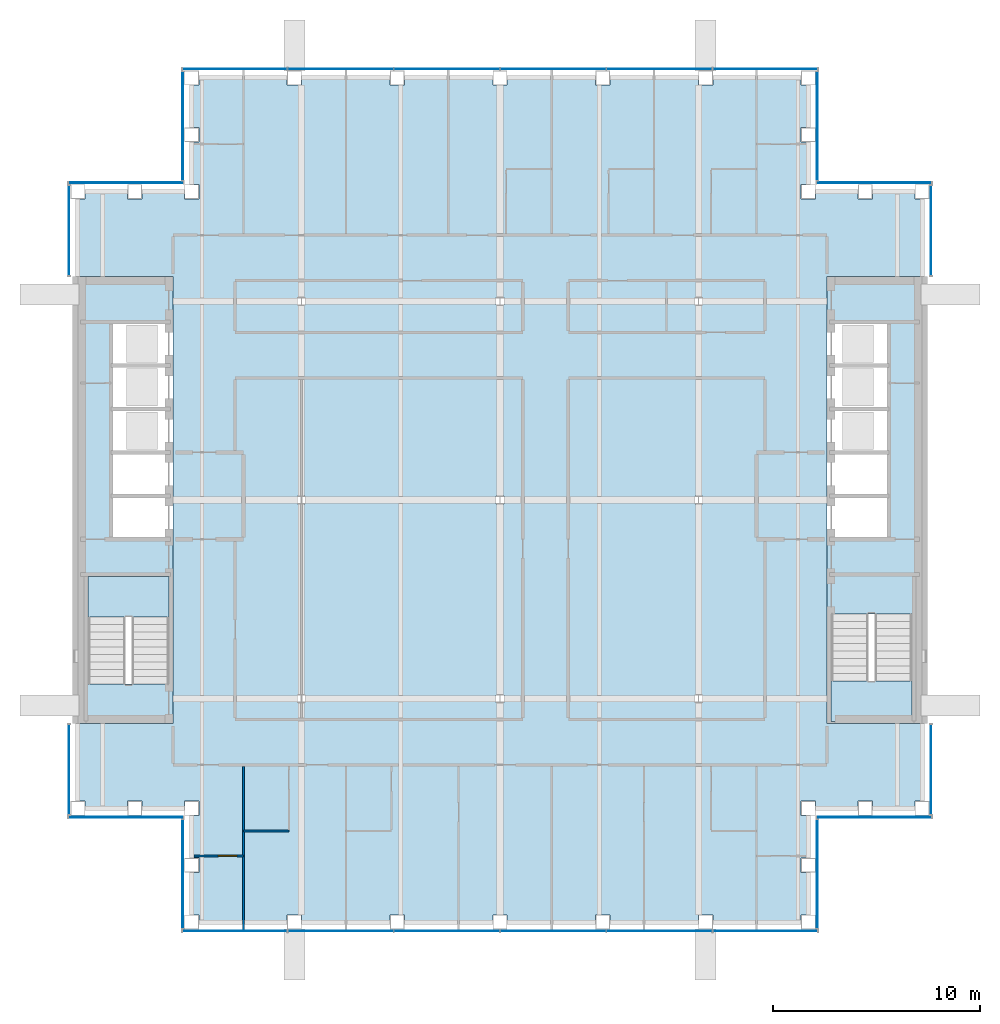
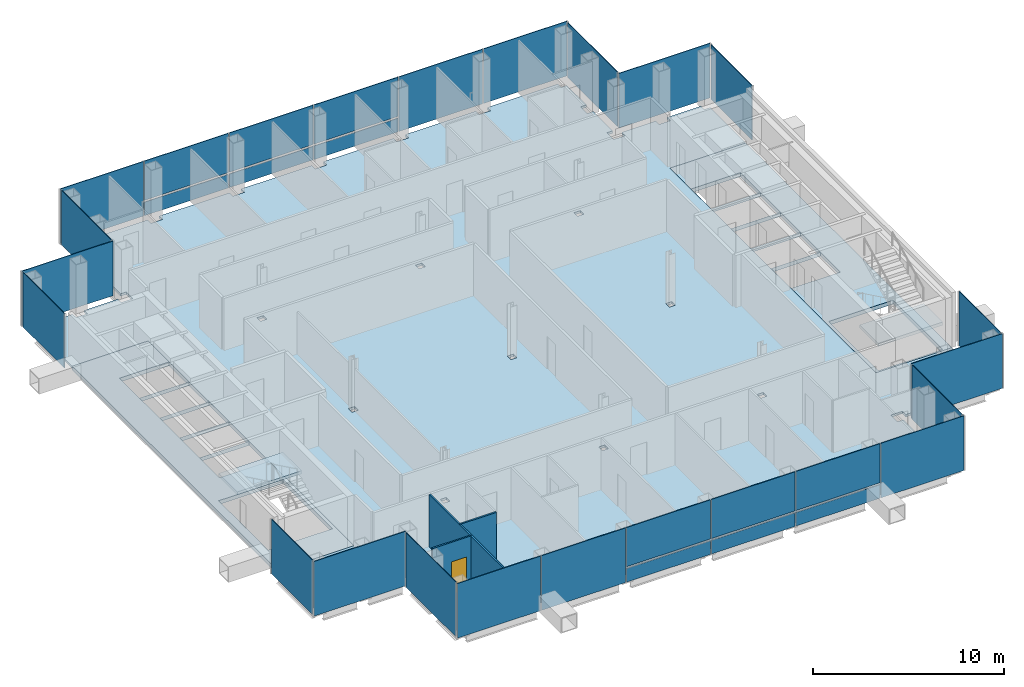
# One storey, part 8 of 14: 30 plates, 5 slabs, 3 walls, 1 door, 1 opening, 16 elements without a shape of their own.
"""IFC4 building model written with IfcOpenShell, lengths in metres."""

from ifc_helpers import new_model, si_unit, direction, frame, frame_2d, origin, origin_2d, place, context, subcontext, project, spatial, polyline, rectangle, outline, extrude, material, layer, layer_set, type_object, element, fill, aggregate, save


model = new_model("IFC4")

# Units and contexts
model_context = context("Model", 3, precision=1e-05, world=origin(), true_north=direction((0.0, 1.0)))
body_context = subcontext(model_context, "Body", "Model", "MODEL_VIEW")
ifc_project = project(units=[si_unit("LENGTHUNIT", "METRE"), si_unit("AREAUNIT", "SQUARE_METRE"), si_unit("VOLUMEUNIT", "CUBIC_METRE"), si_unit("PLANEANGLEUNIT", "RADIAN"), si_unit("MASSUNIT", "GRAM", prefix="KILO")], contexts=[model_context])

# Site, building, storey
site_placement = place(None, origin())
site = spatial("IfcSite", under=ifc_project, at=site_placement, CompositionType="ELEMENT")
building_placement = place(site_placement, origin())
building = spatial("IfcBuilding", under=site, at=building_placement, Name="Cobrizo Arcos Hotel Tower", CompositionType="ELEMENT")
storey_placement = place(building_placement, frame((0.0, 0.0, 208.5)))
storey = spatial("IfcBuildingStorey", under=building, at=storey_placement, Name="L54", CompositionType="ELEMENT", Elevation=208.5)

# Curtain wall, plates
ifc_material_1 = material(Name="Aluminium 6063-T6 anodised bronze", Category="aluminium")
curtain_wall_type = type_object("IfcCurtainWallType", Name="CW-A guest facade", PredefinedType="NOTDEFINED", material=ifc_material_1)
curtain_wall_1_placement = place(storey_placement, origin())
curtain_wall_1 = element("IfcCurtainWall", 1, at=curtain_wall_1_placement, inside=storey, type_object=curtain_wall_type, Name="CW-A L54 S face", PredefinedType="NOTDEFINED")
ifc_material_2 = material(Name="Glass clear laminated low-e", Category="glass")
ifc_layer_1 = layer(ifc_material_2, 0.0400390625)
ifc_layer_set_1 = layer_set([ifc_layer_1], Name="CW-A glass panel")
plate_type_1 = type_object("IfcPlateType", Name="CW-A glass panel", PredefinedType="CURTAIN_PANEL", material=ifc_layer_set_1)
plate_1_placement = place(storey_placement, frame((-2.566650390625, -20.824951171875, 0.990234375), z_axis=(0.0, 0.0, 1.0), x_axis=(1.0, 0.0, 0.0)))
plate_1 = element("IfcPlate", 2, at=plate_1_placement, type_object=plate_type_1, Name="CW-A glass panel 1818", PredefinedType="CURTAIN_PANEL", context=body_context, shape_type="SweptSolid", body=[
    extrude(rectangle(XDim=5.0732421875, YDim=0.0400390625, at=origin_2d()), origin(), (0.0, 0.0, 1.0), 2.510009765625),
])
plate_2_placement = place(storey_placement, frame((2.566650390625, -20.824951171875, 0.990234375), z_axis=(0.0, 0.0, 1.0), x_axis=(1.0, 0.0, 0.0)))
plate_2 = element("IfcPlate", 3, at=plate_2_placement, type_object=plate_type_1, Name="CW-A glass panel 1819", PredefinedType="CURTAIN_PANEL", context=body_context, shape_type="SweptSolid", body=[
    extrude(rectangle(XDim=5.0732421875, YDim=0.0400390625, at=origin_2d()), origin(), (0.0, 0.0, 1.0), 2.510009765625),
])
plate_3_placement = place(storey_placement, frame((7.699951171875, -20.824951171875, 0.990234375), z_axis=(0.0, 0.0, 1.0), x_axis=(1.0, 0.0, 0.0)))
plate_3 = element("IfcPlate", 4, at=plate_3_placement, type_object=plate_type_1, Name="CW-A glass panel 1820", PredefinedType="CURTAIN_PANEL", context=body_context, shape_type="SweptSolid", body=[
    extrude(rectangle(XDim=5.0732421875, YDim=0.0400390625, at=origin_2d()), origin(), (0.0, 0.0, 1.0), 2.510009765625),
])

curtain_wall_2_placement = place(storey_placement, origin())
curtain_wall_2 = element("IfcCurtainWall", 5, at=curtain_wall_2_placement, inside=storey, type_object=curtain_wall_type, Name="CW-A L54 N face", PredefinedType="NOTDEFINED")
plate_4_placement = place(storey_placement, frame((2.566650390625, 20.824951171875, 0.990234375), z_axis=(0.0, 0.0, 1.0), x_axis=(-1.0, 0.0, 0.0)))
plate_4 = element("IfcPlate", 6, at=plate_4_placement, type_object=plate_type_1, Name="CW-A glass panel 1830", PredefinedType="CURTAIN_PANEL", context=body_context, shape_type="SweptSolid", body=[
    extrude(rectangle(XDim=5.0732421875, YDim=0.0400390625, at=origin_2d()), origin(), (0.0, 0.0, 1.0), 2.510009765625),
])
plate_5_placement = place(storey_placement, frame((-2.566650390625, 20.824951171875, 0.990234375), z_axis=(0.0, 0.0, 1.0), x_axis=(-1.0, 0.0, 0.0)))
plate_5 = element("IfcPlate", 7, at=plate_5_placement, type_object=plate_type_1, Name="CW-A glass panel 1831", PredefinedType="CURTAIN_PANEL", context=body_context, shape_type="SweptSolid", body=[
    extrude(rectangle(XDim=5.0732421875, YDim=0.0400390625, at=origin_2d()), origin(), (0.0, 0.0, 1.0), 2.510009765625),
])
plate_6_placement = place(storey_placement, frame((-7.699951171875, 20.824951171875, 0.990234375), z_axis=(0.0, 0.0, 1.0), x_axis=(-1.0, 0.0, 0.0)))
plate_6 = element("IfcPlate", 8, at=plate_6_placement, type_object=plate_type_1, Name="CW-A glass panel 1832", PredefinedType="CURTAIN_PANEL", context=body_context, shape_type="SweptSolid", body=[
    extrude(rectangle(XDim=5.0732421875, YDim=0.0400390625, at=origin_2d()), origin(), (0.0, 0.0, 1.0), 2.510009765625),
])

# Plate
ifc_material_3 = material(Name="Aluminium composite panel pale metal", Category="aluminium")
ifc_layer_2 = layer(ifc_material_3, 0.0400390625)
ifc_layer_set_2 = layer_set([ifc_layer_2], Name="CW-A spandrel panel")
plate_type_2 = type_object("IfcPlateType", Name="CW-A spandrel panel", PredefinedType="CURTAIN_PANEL", material=ifc_layer_set_2)
plate_7_placement = place(storey_placement, frame((-12.818359375, -20.824951171875, 0.0), z_axis=(0.0, 0.0, 1.0), x_axis=(1.0, 0.0, 0.0)))
plate_7 = element("IfcPlate", 9, at=plate_7_placement, type_object=plate_type_2, Name="CW-A spandrel panel 1816", PredefinedType="CURTAIN_PANEL", context=body_context, shape_type="SweptSolid", body=[
    extrude(rectangle(XDim=5.043212890625, YDim=0.0400390625, at=origin_2d()), origin(), (0.0, 0.0, 1.0), 3.5),
])

plate_8_placement = place(storey_placement, frame((-7.699951171875, -20.824951171875, 0.0), z_axis=(0.0, 0.0, 1.0), x_axis=(1.0, 0.0, 0.0)))
plate_8 = element("IfcPlate", 10, at=plate_8_placement, type_object=plate_type_2, Name="CW-A spandrel panel 1817", PredefinedType="CURTAIN_PANEL", context=body_context, shape_type="SweptSolid", body=[
    extrude(rectangle(XDim=5.0732421875, YDim=0.0400390625, at=origin_2d()), origin(), (0.0, 0.0, 1.0), 3.5),
])

plate_9_placement = place(storey_placement, frame((-2.566650390625, -20.824951171875, 0.0), z_axis=(0.0, 0.0, 1.0), x_axis=(1.0, 0.0, 0.0)))
plate_9 = element("IfcPlate", 11, at=plate_9_placement, type_object=plate_type_2, Name="CW-A spandrel panel 1818", PredefinedType="CURTAIN_PANEL", context=body_context, shape_type="SweptSolid", body=[
    extrude(rectangle(XDim=5.0732421875, YDim=0.0400390625, at=origin_2d()), origin(), (0.0, 0.0, 1.0), 0.8701171875),
])

plate_10_placement = place(storey_placement, frame((2.566650390625, -20.824951171875, 0.0), z_axis=(0.0, 0.0, 1.0), x_axis=(1.0, 0.0, 0.0)))
plate_10 = element("IfcPlate", 12, at=plate_10_placement, type_object=plate_type_2, Name="CW-A spandrel panel 1819", PredefinedType="CURTAIN_PANEL", context=body_context, shape_type="SweptSolid", body=[
    extrude(rectangle(XDim=5.0732421875, YDim=0.0400390625, at=origin_2d()), origin(), (0.0, 0.0, 1.0), 0.8701171875),
])

plate_11_placement = place(storey_placement, frame((7.699951171875, -20.824951171875, 0.0), z_axis=(0.0, 0.0, 1.0), x_axis=(1.0, 0.0, 0.0)))
plate_11 = element("IfcPlate", 13, at=plate_11_placement, type_object=plate_type_2, Name="CW-A spandrel panel 1820", PredefinedType="CURTAIN_PANEL", context=body_context, shape_type="SweptSolid", body=[
    extrude(rectangle(XDim=5.0732421875, YDim=0.0400390625, at=origin_2d()), origin(), (0.0, 0.0, 1.0), 0.8701171875),
])

plate_12_placement = place(storey_placement, frame((12.818359375, -20.824951171875, 0.0), z_axis=(0.0, 0.0, 1.0), x_axis=(1.0, 0.0, 0.0)))
plate_12 = element("IfcPlate", 14, at=plate_12_placement, type_object=plate_type_2, Name="CW-A spandrel panel 1821", PredefinedType="CURTAIN_PANEL", context=body_context, shape_type="SweptSolid", body=[
    extrude(rectangle(XDim=5.043212890625, YDim=0.0400390625, at=origin_2d()), origin(), (0.0, 0.0, 1.0), 3.5),
])

aggregate(curtain_wall_1, [plate_7, plate_8, plate_9, plate_1, plate_10, plate_2, plate_11, plate_3, plate_12])

# Curtain wall, plate
curtain_wall_3_placement = place(storey_placement, origin())
curtain_wall_3 = element("IfcCurtainWall", 15, at=curtain_wall_3_placement, inside=storey, type_object=curtain_wall_type, Name="CW-A L54 E face", PredefinedType="NOTDEFINED")
plate_13_placement = place(storey_placement, frame((15.324951171875, -18.074951171875, 0.0), z_axis=(0.0, 0.0, 1.0), x_axis=(0.0, 1.0, 0.0)))
plate_13 = element("IfcPlate", 16, at=plate_13_placement, type_object=plate_type_2, Name="CW-A spandrel panel 1822", PredefinedType="CURTAIN_PANEL", context=body_context, shape_type="SweptSolid", body=[
    extrude(rectangle(XDim=5.22998046875, YDim=0.0400390625, at=origin_2d()), origin(), (0.0, 0.0, 1.0), 3.5),
])
aggregate(curtain_wall_3, [plate_13])

curtain_wall_4_placement = place(storey_placement, origin())
curtain_wall_4 = element("IfcCurtainWall", 17, at=curtain_wall_4_placement, inside=storey, type_object=curtain_wall_type, Name="CW-A L54 S face", PredefinedType="NOTDEFINED")
plate_14_placement = place(storey_placement, frame((18.074951171875, -15.324951171875, 0.0), z_axis=(0.0, 0.0, 1.0), x_axis=(1.0, 0.0, 0.0)))
plate_14 = element("IfcPlate", 18, at=plate_14_placement, type_object=plate_type_2, Name="CW-A spandrel panel 1823", PredefinedType="CURTAIN_PANEL", context=body_context, shape_type="SweptSolid", body=[
    extrude(rectangle(XDim=5.530029296875, YDim=0.0400390625, at=origin_2d()), origin(), (0.0, 0.0, 1.0), 3.5),
])
aggregate(curtain_wall_4, [plate_14])

curtain_wall_5_placement = place(storey_placement, origin())
curtain_wall_5 = element("IfcCurtainWall", 19, at=curtain_wall_5_placement, inside=storey, type_object=curtain_wall_type, Name="CW-A L54 E face", PredefinedType="NOTDEFINED")
plate_15_placement = place(storey_placement, frame((20.824951171875, -13.02490234375, 0.0), z_axis=(0.0, 0.0, 1.0), x_axis=(0.0, 1.0, 0.0)))
plate_15 = element("IfcPlate", 20, at=plate_15_placement, type_object=plate_type_2, Name="CW-A spandrel panel 1824", PredefinedType="CURTAIN_PANEL", context=body_context, shape_type="SweptSolid", body=[
    extrude(rectangle(XDim=4.330078125, YDim=0.0400390625, at=origin_2d()), origin(), (0.0, 0.0, 1.0), 3.5),
])
aggregate(curtain_wall_5, [plate_15])

curtain_wall_6_placement = place(storey_placement, origin())
curtain_wall_6 = element("IfcCurtainWall", 21, at=curtain_wall_6_placement, inside=storey, type_object=curtain_wall_type, Name="CW-A L54 E face", PredefinedType="NOTDEFINED")
plate_16_placement = place(storey_placement, frame((20.824951171875, 13.02490234375, 0.0), z_axis=(0.0, 0.0, 1.0), x_axis=(0.0, 1.0, 0.0)))
plate_16 = element("IfcPlate", 22, at=plate_16_placement, type_object=plate_type_2, Name="CW-A spandrel panel 1825", PredefinedType="CURTAIN_PANEL", context=body_context, shape_type="SweptSolid", body=[
    extrude(rectangle(XDim=4.330078125, YDim=0.0400390625, at=origin_2d()), origin(), (0.0, 0.0, 1.0), 3.5),
])
aggregate(curtain_wall_6, [plate_16])

curtain_wall_7_placement = place(storey_placement, origin())
curtain_wall_7 = element("IfcCurtainWall", 23, at=curtain_wall_7_placement, inside=storey, type_object=curtain_wall_type, Name="CW-A L54 N face", PredefinedType="NOTDEFINED")
plate_17_placement = place(storey_placement, frame((18.074951171875, 15.324951171875, 0.0), z_axis=(0.0, 0.0, 1.0), x_axis=(-1.0, 0.0, 0.0)))
plate_17 = element("IfcPlate", 24, at=plate_17_placement, type_object=plate_type_2, Name="CW-A spandrel panel 1826", PredefinedType="CURTAIN_PANEL", context=body_context, shape_type="SweptSolid", body=[
    extrude(rectangle(XDim=5.530029296875, YDim=0.0400390625, at=origin_2d()), origin(), (0.0, 0.0, 1.0), 3.5),
])
aggregate(curtain_wall_7, [plate_17])

curtain_wall_8_placement = place(storey_placement, origin())
curtain_wall_8 = element("IfcCurtainWall", 25, at=curtain_wall_8_placement, inside=storey, type_object=curtain_wall_type, Name="CW-A L54 E face", PredefinedType="NOTDEFINED")
plate_18_placement = place(storey_placement, frame((15.324951171875, 18.074951171875, 0.0), z_axis=(0.0, 0.0, 1.0), x_axis=(0.0, 1.0, 0.0)))
plate_18 = element("IfcPlate", 26, at=plate_18_placement, type_object=plate_type_2, Name="CW-A spandrel panel 1827", PredefinedType="CURTAIN_PANEL", context=body_context, shape_type="SweptSolid", body=[
    extrude(rectangle(XDim=5.22998046875, YDim=0.0400390625, at=origin_2d()), origin(), (0.0, 0.0, 1.0), 3.5),
])
aggregate(curtain_wall_8, [plate_18])

# Plate
plate_19_placement = place(storey_placement, frame((12.818359375, 20.824951171875, 0.0), z_axis=(0.0, 0.0, 1.0), x_axis=(-1.0, 0.0, 0.0)))
plate_19 = element("IfcPlate", 27, at=plate_19_placement, type_object=plate_type_2, Name="CW-A spandrel panel 1828", PredefinedType="CURTAIN_PANEL", context=body_context, shape_type="SweptSolid", body=[
    extrude(rectangle(XDim=5.043212890625, YDim=0.0400390625, at=origin_2d()), origin(), (0.0, 0.0, 1.0), 3.5),
])

plate_20_placement = place(storey_placement, frame((7.699951171875, 20.824951171875, 0.0), z_axis=(0.0, 0.0, 1.0), x_axis=(-1.0, 0.0, 0.0)))
plate_20 = element("IfcPlate", 28, at=plate_20_placement, type_object=plate_type_2, Name="CW-A spandrel panel 1829", PredefinedType="CURTAIN_PANEL", context=body_context, shape_type="SweptSolid", body=[
    extrude(rectangle(XDim=5.0732421875, YDim=0.0400390625, at=origin_2d()), origin(), (0.0, 0.0, 1.0), 3.5),
])

plate_21_placement = place(storey_placement, frame((2.566650390625, 20.824951171875, 0.0), z_axis=(0.0, 0.0, 1.0), x_axis=(-1.0, 0.0, 0.0)))
plate_21 = element("IfcPlate", 29, at=plate_21_placement, type_object=plate_type_2, Name="CW-A spandrel panel 1830", PredefinedType="CURTAIN_PANEL", context=body_context, shape_type="SweptSolid", body=[
    extrude(rectangle(XDim=5.0732421875, YDim=0.0400390625, at=origin_2d()), origin(), (0.0, 0.0, 1.0), 0.8701171875),
])

plate_22_placement = place(storey_placement, frame((-2.566650390625, 20.824951171875, 0.0), z_axis=(0.0, 0.0, 1.0), x_axis=(-1.0, 0.0, 0.0)))
plate_22 = element("IfcPlate", 30, at=plate_22_placement, type_object=plate_type_2, Name="CW-A spandrel panel 1831", PredefinedType="CURTAIN_PANEL", context=body_context, shape_type="SweptSolid", body=[
    extrude(rectangle(XDim=5.0732421875, YDim=0.0400390625, at=origin_2d()), origin(), (0.0, 0.0, 1.0), 0.8701171875),
])

plate_23_placement = place(storey_placement, frame((-7.699951171875, 20.824951171875, 0.0), z_axis=(0.0, 0.0, 1.0), x_axis=(-1.0, 0.0, 0.0)))
plate_23 = element("IfcPlate", 31, at=plate_23_placement, type_object=plate_type_2, Name="CW-A spandrel panel 1832", PredefinedType="CURTAIN_PANEL", context=body_context, shape_type="SweptSolid", body=[
    extrude(rectangle(XDim=5.0732421875, YDim=0.0400390625, at=origin_2d()), origin(), (0.0, 0.0, 1.0), 0.8701171875),
])

plate_24_placement = place(storey_placement, frame((-12.818359375, 20.824951171875, 0.0), z_axis=(0.0, 0.0, 1.0), x_axis=(-1.0, 0.0, 0.0)))
plate_24 = element("IfcPlate", 32, at=plate_24_placement, type_object=plate_type_2, Name="CW-A spandrel panel 1833", PredefinedType="CURTAIN_PANEL", context=body_context, shape_type="SweptSolid", body=[
    extrude(rectangle(XDim=5.043212890625, YDim=0.0400390625, at=origin_2d()), origin(), (0.0, 0.0, 1.0), 3.5),
])

aggregate(curtain_wall_2, [plate_19, plate_20, plate_21, plate_4, plate_22, plate_5, plate_23, plate_6, plate_24])

# Curtain wall, plate
curtain_wall_9_placement = place(storey_placement, origin())
curtain_wall_9 = element("IfcCurtainWall", 33, at=curtain_wall_9_placement, inside=storey, type_object=curtain_wall_type, Name="CW-A L54 W face", PredefinedType="NOTDEFINED")
plate_25_placement = place(storey_placement, frame((-15.324951171875, 18.074951171875, 0.0), z_axis=(0.0, 0.0, 1.0), x_axis=(0.0, -1.0, 0.0)))
plate_25 = element("IfcPlate", 34, at=plate_25_placement, type_object=plate_type_2, Name="CW-A spandrel panel 1834", PredefinedType="CURTAIN_PANEL", context=body_context, shape_type="SweptSolid", body=[
    extrude(rectangle(XDim=5.22998046875, YDim=0.0400390625, at=origin_2d()), origin(), (0.0, 0.0, 1.0), 3.5),
])
aggregate(curtain_wall_9, [plate_25])

curtain_wall_10_placement = place(storey_placement, origin())
curtain_wall_10 = element("IfcCurtainWall", 35, at=curtain_wall_10_placement, inside=storey, type_object=curtain_wall_type, Name="CW-A L54 N face", PredefinedType="NOTDEFINED")
plate_26_placement = place(storey_placement, frame((-18.074951171875, 15.324951171875, 0.0), z_axis=(0.0, 0.0, 1.0), x_axis=(-1.0, 0.0, 0.0)))
plate_26 = element("IfcPlate", 36, at=plate_26_placement, type_object=plate_type_2, Name="CW-A spandrel panel 1835", PredefinedType="CURTAIN_PANEL", context=body_context, shape_type="SweptSolid", body=[
    extrude(rectangle(XDim=5.530029296875, YDim=0.0400390625, at=origin_2d()), origin(), (0.0, 0.0, 1.0), 3.5),
])
aggregate(curtain_wall_10, [plate_26])

curtain_wall_11_placement = place(storey_placement, origin())
curtain_wall_11 = element("IfcCurtainWall", 37, at=curtain_wall_11_placement, inside=storey, type_object=curtain_wall_type, Name="CW-A L54 W face", PredefinedType="NOTDEFINED")
plate_27_placement = place(storey_placement, frame((-20.824951171875, 13.02490234375, 0.0), z_axis=(0.0, 0.0, 1.0), x_axis=(0.0, -1.0, 0.0)))
plate_27 = element("IfcPlate", 38, at=plate_27_placement, type_object=plate_type_2, Name="CW-A spandrel panel 1836", PredefinedType="CURTAIN_PANEL", context=body_context, shape_type="SweptSolid", body=[
    extrude(rectangle(XDim=4.330078125, YDim=0.0400390625, at=origin_2d()), origin(), (0.0, 0.0, 1.0), 3.5),
])
aggregate(curtain_wall_11, [plate_27])

curtain_wall_12_placement = place(storey_placement, origin())
curtain_wall_12 = element("IfcCurtainWall", 39, at=curtain_wall_12_placement, inside=storey, type_object=curtain_wall_type, Name="CW-A L54 W face", PredefinedType="NOTDEFINED")
plate_28_placement = place(storey_placement, frame((-20.824951171875, -13.02490234375, 0.0), z_axis=(0.0, 0.0, 1.0), x_axis=(0.0, -1.0, 0.0)))
plate_28 = element("IfcPlate", 40, at=plate_28_placement, type_object=plate_type_2, Name="CW-A spandrel panel 1837", PredefinedType="CURTAIN_PANEL", context=body_context, shape_type="SweptSolid", body=[
    extrude(rectangle(XDim=4.330078125, YDim=0.0400390625, at=origin_2d()), origin(), (0.0, 0.0, 1.0), 3.5),
])
aggregate(curtain_wall_12, [plate_28])

curtain_wall_13_placement = place(storey_placement, origin())
curtain_wall_13 = element("IfcCurtainWall", 41, at=curtain_wall_13_placement, inside=storey, type_object=curtain_wall_type, Name="CW-A L54 S face", PredefinedType="NOTDEFINED")
plate_29_placement = place(storey_placement, frame((-18.074951171875, -15.324951171875, 0.0), z_axis=(0.0, 0.0, 1.0), x_axis=(1.0, 0.0, 0.0)))
plate_29 = element("IfcPlate", 42, at=plate_29_placement, type_object=plate_type_2, Name="CW-A spandrel panel 1838", PredefinedType="CURTAIN_PANEL", context=body_context, shape_type="SweptSolid", body=[
    extrude(rectangle(XDim=5.530029296875, YDim=0.0400390625, at=origin_2d()), origin(), (0.0, 0.0, 1.0), 3.5),
])
aggregate(curtain_wall_13, [plate_29])

curtain_wall_14_placement = place(storey_placement, origin())
curtain_wall_14 = element("IfcCurtainWall", 43, at=curtain_wall_14_placement, inside=storey, type_object=curtain_wall_type, Name="CW-A L54 W face", PredefinedType="NOTDEFINED")
plate_30_placement = place(storey_placement, frame((-15.324951171875, -18.074951171875, 0.0), z_axis=(0.0, 0.0, 1.0), x_axis=(0.0, -1.0, 0.0)))
plate_30 = element("IfcPlate", 44, at=plate_30_placement, type_object=plate_type_2, Name="CW-A spandrel panel 1839", PredefinedType="CURTAIN_PANEL", context=body_context, shape_type="SweptSolid", body=[
    extrude(rectangle(XDim=5.22998046875, YDim=0.0400390625, at=origin_2d()), origin(), (0.0, 0.0, 1.0), 3.5),
])
aggregate(curtain_wall_14, [plate_30])

# Slabs
ifc_material_4 = material(Name="Concrete f'c 35 MPa", Category="concrete")
ifc_layer_3 = layer(ifc_material_4, 0.14990234375)
ifc_layer_set_3 = layer_set([ifc_layer_3], Name="Composite floor slab 150 f'c 35")
slab_type_1 = type_object("IfcSlabType", Name="Composite floor slab 150 f'c 35", PredefinedType="FLOOR", material=ifc_layer_set_3)
slab_1_placement = place(storey_placement, frame((0.0, 0.0, -0.14990234375)))
element("IfcSlab", 45, at=slab_1_placement, inside=storey, type_object=slab_type_1, Name="Floor slab S5, L54, no. 01", PredefinedType="FLOOR", context=body_context, shape_type="SweptSolid", body=[
    extrude(outline(polyline([(-14.550048828125, -20.39990234375), (-14.550048828125, -20.050048828125), (-14.89990234375, -20.050048828125), (-14.89990234375, -18.0), (-14.550048828125, -18.0), (-14.550048828125, -17.300048828125), (-14.89990234375, -17.300048828125), (-14.89990234375, -15.25), (-14.550048828125, -15.25), (-14.550048828125, -14.550048828125), (-15.25, -14.550048828125), (-15.25, -14.89990234375), (-17.300048828125, -14.89990234375), (-17.300048828125, -14.550048828125), (-18.0, -14.550048828125), (-18.0, -14.89990234375), (-20.050048828125, -14.89990234375), (-20.050048828125, -14.550048828125), (-20.39990234375, -14.550048828125), (-20.39990234375, -10.800048828125), (-15.800048828125, -10.800048828125), (-15.800048828125, 10.800048828125), (-20.39990234375, 10.800048828125), (-20.39990234375, 14.550048828125), (-20.050048828125, 14.550048828125), (-20.050048828125, 14.89990234375), (-18.0, 14.89990234375), (-18.0, 14.550048828125), (-17.300048828125, 14.550048828125), (-17.300048828125, 14.89990234375), (-15.25, 14.89990234375), (-15.25, 14.550048828125), (-14.550048828125, 14.550048828125), (-14.550048828125, 15.25), (-14.89990234375, 15.25), (-14.89990234375, 17.300048828125), (-14.550048828125, 17.300048828125), (-14.550048828125, 18.0), (-14.89990234375, 18.0), (-14.89990234375, 20.050048828125), (-14.550048828125, 20.050048828125), (-14.550048828125, 20.39990234375), (-10.282958984375, 20.39990234375), (-10.282958984375, 20.050048828125), (-9.5830078125, 20.050048828125), (-9.5830078125, 20.39990234375), (-5.31689453125, 20.39990234375), (-5.31689453125, 20.050048828125), (-4.616943359375, 20.050048828125), (-4.616943359375, 20.39990234375), (-0.35009765625, 20.39990234375), (-0.35009765625, 20.050048828125), (0.35009765625, 20.050048828125), (0.35009765625, 20.39990234375), (4.616943359375, 20.39990234375), (4.616943359375, 20.050048828125), (5.31689453125, 20.050048828125), (5.31689453125, 20.39990234375), (9.5830078125, 20.39990234375), (9.5830078125, 20.050048828125), (10.282958984375, 20.050048828125), (10.282958984375, 20.39990234375), (14.550048828125, 20.39990234375), (14.550048828125, 20.050048828125), (14.89990234375, 20.050048828125), (14.89990234375, 18.0), (14.550048828125, 18.0), (14.550048828125, 17.300048828125), (14.89990234375, 17.300048828125), (14.89990234375, 15.25), (14.550048828125, 15.25), (14.550048828125, 14.550048828125), (15.25, 14.550048828125), (15.25, 14.89990234375), (17.300048828125, 14.89990234375), (17.300048828125, 14.550048828125), (18.0, 14.550048828125), (18.0, 14.89990234375), (20.050048828125, 14.89990234375), (20.050048828125, 14.550048828125), (20.39990234375, 14.550048828125), (20.39990234375, 10.800048828125), (15.800048828125, 10.800048828125), (15.800048828125, -10.800048828125), (20.39990234375, -10.800048828125), (20.39990234375, -14.550048828125), (20.050048828125, -14.550048828125), (20.050048828125, -14.89990234375), (18.0, -14.89990234375), (18.0, -14.550048828125), (17.300048828125, -14.550048828125), (17.300048828125, -14.89990234375), (15.25, -14.89990234375), (15.25, -14.550048828125), (14.550048828125, -14.550048828125), (14.550048828125, -15.25), (14.89990234375, -15.25), (14.89990234375, -17.300048828125), (14.550048828125, -17.300048828125), (14.550048828125, -18.0), (14.89990234375, -18.0), (14.89990234375, -20.050048828125), (14.550048828125, -20.050048828125), (14.550048828125, -20.39990234375), (10.282958984375, -20.39990234375), (10.282958984375, -20.050048828125), (9.5830078125, -20.050048828125), (9.5830078125, -20.39990234375), (5.31689453125, -20.39990234375), (5.31689453125, -20.050048828125), (4.616943359375, -20.050048828125), (4.616943359375, -20.39990234375), (0.35009765625, -20.39990234375), (0.35009765625, -20.050048828125), (-0.35009765625, -20.050048828125), (-0.35009765625, -20.39990234375), (-4.616943359375, -20.39990234375), (-4.616943359375, -20.050048828125), (-5.31689453125, -20.050048828125), (-5.31689453125, -20.39990234375), (-9.5830078125, -20.39990234375), (-9.5830078125, -20.050048828125), (-10.282958984375, -20.050048828125), (-10.282958984375, -20.39990234375), (-14.550048828125, -20.39990234375)]), holes=[polyline([(-9.413330078125, -9.78662109375), (-9.413330078125, -9.413330078125), (-9.78662109375, -9.413330078125), (-9.78662109375, -9.78662109375), (-9.413330078125, -9.78662109375)]), polyline([(0.186767578125, -9.78662109375), (0.186767578125, -9.413330078125), (-0.186767578125, -9.413330078125), (-0.186767578125, -9.78662109375), (0.186767578125, -9.78662109375)]), polyline([(9.413330078125, -9.78662109375), (9.78662109375, -9.78662109375), (9.78662109375, -9.413330078125), (9.413330078125, -9.413330078125), (9.413330078125, -9.78662109375)]), polyline([(-9.78662109375, -0.186767578125), (-9.413330078125, -0.186767578125), (-9.413330078125, 0.186767578125), (-9.78662109375, 0.186767578125), (-9.78662109375, -0.186767578125)]), polyline([(0.186767578125, -0.186767578125), (0.186767578125, 0.186767578125), (-0.186767578125, 0.186767578125), (-0.186767578125, -0.186767578125), (0.186767578125, -0.186767578125)]), polyline([(9.78662109375, -0.186767578125), (9.78662109375, 0.186767578125), (9.413330078125, 0.186767578125), (9.413330078125, -0.186767578125), (9.78662109375, -0.186767578125)]), polyline([(-9.413330078125, 9.413330078125), (-9.413330078125, 9.78662109375), (-9.78662109375, 9.78662109375), (-9.78662109375, 9.413330078125), (-9.413330078125, 9.413330078125)]), polyline([(-0.186767578125, 9.413330078125), (0.186767578125, 9.413330078125), (0.186767578125, 9.78662109375), (-0.186767578125, 9.78662109375), (-0.186767578125, 9.413330078125)]), polyline([(9.413330078125, 9.413330078125), (9.78662109375, 9.413330078125), (9.78662109375, 9.78662109375), (9.413330078125, 9.78662109375), (9.413330078125, 9.413330078125)])]), origin(), (0.0, 0.0, 1.0), 0.14990234375),
])
ifc_material_5 = material(Name="Concrete f'c 40 MPa", Category="concrete")
ifc_layer_4 = layer(ifc_material_5, 0.25)
ifc_layer_set_4 = layer_set([ifc_layer_4], Name="RC core floor slab 250 f'c 40")
slab_type_2 = type_object("IfcSlabType", Name="RC core floor slab 250 f'c 40", PredefinedType="FLOOR", material=ifc_layer_set_4)
slab_2_placement = place(storey_placement, frame((0.0, 0.0, -0.25)))
element("IfcSlab", 46, at=slab_2_placement, inside=storey, type_object=slab_type_2, Name="Core floor slab CS7, east core, L54", PredefinedType="FLOOR", context=body_context, shape_type="SweptSolid", body=[
    extrude(outline(polyline([(15.800048828125, 10.800048828125), (20.39990234375, 10.800048828125), (20.39990234375, -10.800048828125), (15.800048828125, -10.800048828125), (15.800048828125, 10.800048828125)]), holes=[polyline([(19.89794921875, -10.697998046875), (19.89794921875, -5.501953125), (16.001953125, -5.501953125), (16.001953125, -10.697998046875), (19.89794921875, -10.697998046875)]), polyline([(15.802001953125, 0.197998046875), (15.802001953125, -1.89794921875), (18.798095703125, -1.89794921875), (18.798095703125, 0.197998046875), (15.802001953125, 0.197998046875)]), polyline([(15.802001953125, 2.298095703125), (15.802001953125, 0.201904296875), (18.798095703125, 0.201904296875), (18.798095703125, 2.298095703125), (15.802001953125, 2.298095703125)]), polyline([(15.802001953125, 4.39794921875), (15.802001953125, 2.302001953125), (18.798095703125, 2.302001953125), (18.798095703125, 4.39794921875), (15.802001953125, 4.39794921875)]), polyline([(18.798095703125, 6.498046875), (15.802001953125, 6.498046875), (15.802001953125, 4.402099609375), (18.798095703125, 4.402099609375), (18.798095703125, 6.498046875)]), polyline([(18.798095703125, 8.597900390625), (15.802001953125, 8.597900390625), (15.802001953125, 6.501953125), (18.798095703125, 6.501953125), (18.798095703125, 8.597900390625)])]), origin(), (0.0, 0.0, 1.0), 0.25),
])
slab_3_placement = place(storey_placement, frame((0.0, 0.0, -0.25)))
element("IfcSlab", 47, at=slab_3_placement, inside=storey, type_object=slab_type_2, Name="Core floor slab CS7, west core, L54", PredefinedType="FLOOR", context=body_context, shape_type="SweptSolid", body=[
    extrude(outline(polyline([(-20.39990234375, 10.800048828125), (-15.800048828125, 10.800048828125), (-15.800048828125, -10.800048828125), (-20.39990234375, -10.800048828125), (-20.39990234375, 10.800048828125)]), holes=[polyline([(-19.89794921875, -3.701904296875), (-19.89794921875, -8.89794921875), (-16.001953125, -8.89794921875), (-16.001953125, -3.701904296875), (-19.89794921875, -3.701904296875)]), polyline([(-18.798095703125, 0.197998046875), (-18.798095703125, -1.89794921875), (-15.802001953125, -1.89794921875), (-15.802001953125, 0.197998046875), (-18.798095703125, 0.197998046875)]), polyline([(-18.798095703125, 2.298095703125), (-18.798095703125, 0.201904296875), (-15.802001953125, 0.201904296875), (-15.802001953125, 2.298095703125), (-18.798095703125, 2.298095703125)]), polyline([(-18.798095703125, 4.39794921875), (-18.798095703125, 2.302001953125), (-15.802001953125, 2.302001953125), (-15.802001953125, 4.39794921875), (-18.798095703125, 4.39794921875)]), polyline([(-15.802001953125, 6.498046875), (-18.798095703125, 6.498046875), (-18.798095703125, 4.402099609375), (-15.802001953125, 4.402099609375), (-15.802001953125, 6.498046875)]), polyline([(-15.802001953125, 8.597900390625), (-18.798095703125, 8.597900390625), (-18.798095703125, 6.501953125), (-15.802001953125, 6.501953125), (-15.802001953125, 8.597900390625)])]), origin(), (0.0, 0.0, 1.0), 0.25),
])

# Stair, slab
stair_type = type_object("IfcStairType", Name="Exit stair", PredefinedType="HALF_TURN_STAIR", material=ifc_material_5)
stair_1_placement = place(storey_placement, origin())
stair_1 = element("IfcStair", 48, at=stair_1_placement, inside=storey, type_object=stair_type, Name="L54 Exit stair ST-W", PredefinedType="HALF_TURN_STAIR")
ifc_layer_5 = layer(ifc_material_5, 0.199951171875)
ifc_layer_set_5 = layer_set([ifc_layer_5], Name="Stair landing")
slab_type_3 = type_object("IfcSlabType", Name="Stair landing", PredefinedType="LANDING", material=ifc_layer_set_5)
slab_4_placement = place(storey_placement, frame((0.0, 0.0, 1.550048828125)))
slab_4 = element("IfcSlab", 49, at=slab_4_placement, type_object=slab_type_3, Name="ST-W landing 1", PredefinedType="LANDING", context=body_context, shape_type="SweptSolid", body=[
    extrude(outline(polyline([(-16.0, -5.659912109375), (-16.0, -3.699951171875), (-19.89990234375, -3.699951171875), (-19.89990234375, -5.659912109375), (-16.0, -5.659912109375)])), origin(), (0.0, 0.0, 1.0), 0.199951171875),
])
aggregate(stair_1, [slab_4])

stair_2_placement = place(storey_placement, origin())
stair_2 = element("IfcStair", 50, at=stair_2_placement, inside=storey, type_object=stair_type, Name="L54 Exit stair ST-E", PredefinedType="HALF_TURN_STAIR")
slab_5_placement = place(storey_placement, frame((0.0, 0.0, 1.550048828125)))
slab_5 = element("IfcSlab", 51, at=slab_5_placement, type_object=slab_type_3, Name="ST-E landing 1", PredefinedType="LANDING", context=body_context, shape_type="SweptSolid", body=[
    extrude(outline(polyline([(16.0, -8.739990234375), (16.0, -10.699951171875), (19.89990234375, -10.699951171875), (19.89990234375, -8.739990234375), (16.0, -8.739990234375)])), origin(), (0.0, 0.0, 1.0), 0.199951171875),
])
aggregate(stair_2, [slab_5])

# Wall, opening, door
ifc_material_6 = material(Name="Gypsum board partition")
ifc_layer_6 = layer(ifc_material_6, 0.10009765625)
ifc_layer_set_6 = layer_set([ifc_layer_6], Name="Partition EI 30 100")
wall_type = type_object("IfcWallType", Name="Partition EI 30 100", PredefinedType="PARTITIONING", material=ifc_layer_set_6)
wall_1_placement = place(storey_placement, frame((-14.780029296875, -17.199951171875, 0.0), z_axis=(0.0, 0.0, 1.0), x_axis=(1.0, 0.0, 0.0)))
wall_1 = element("IfcWall", 52, at=wall_1_placement, inside=storey, type_object=wall_type, Name="Partition 001", PredefinedType="PARTITIONING", context=body_context, shape_type="SweptSolid", body=[
    extrude(rectangle(XDim=2.380126953125, YDim=0.10009765625, at=frame_2d((1.18994140625, 0.0))), origin(), (0.0, 0.0, 1.0), 3.35009765625),
])
opening_placement = place(wall_1_placement, frame((1.16796875, 0.0, 0.0)))
opening = element("IfcOpeningElement", 53, at=opening_placement, cuts=wall_1, Name="Opening ED-08", PredefinedType="OPENING", context=body_context, shape_type="SweptSolid", body=[
    extrude(rectangle(XDim=0.89990234375, YDim=2.10009765625, at=frame_2d((0.449951171875, 1.050048828125))), frame((0.0, 0.06201171875, 0.0), z_axis=(0.0, -1.0, 0.0), x_axis=(1.0, 0.0, 0.0)), (0.0, 0.0, 1.0), 0.1240234375),
])
ifc_material_7 = material(Name="Timber door leaf", Category="wood")
door_type = type_object("IfcDoorType", Name="En-suite door 900x2100", OperationType="SINGLE_SWING_LEFT", PredefinedType="DOOR", material=ifc_material_7)
door_placement = place(opening_placement, origin())
door = element("IfcDoor", 54, at=door_placement, inside=storey, type_object=door_type, Name="Door ED-08", OperationType="SINGLE_SWING_RIGHT", OverallHeight=2.10009765625, OverallWidth=0.89990234375, PredefinedType="DOOR", context=body_context, shape_type="SweptSolid", body=[
    extrude(rectangle(XDim=0.89990234375, YDim=2.10009765625, at=frame_2d((0.449951171875, 1.050048828125))), frame((0.0, 0.02490234375, 0.0), z_axis=(0.0, -1.0, 0.0), x_axis=(1.0, 0.0, 0.0)), (0.0, 0.0, 1.0), 0.050048828125),
])
fill(opening, door)

# Walls
wall_2_placement = place(storey_placement, frame((-12.39990234375, -16.0, 0.0), z_axis=(0.0, 0.0, 1.0), x_axis=(1.0, 0.0, 0.0)))
element("IfcWall", 55, at=wall_2_placement, inside=storey, type_object=wall_type, Name="Partition 003", PredefinedType="PARTITIONING", context=body_context, shape_type="SweptSolid", body=[
    extrude(rectangle(XDim=2.199951171875, YDim=0.10009765625, at=frame_2d((1.10009765625, 0.0))), origin(), (0.0, 0.0, 1.0), 3.35009765625),
])
wall_3_placement = place(storey_placement, frame((-12.39990234375, -20.780029296875, 0.0), z_axis=(0.0, 0.0, 1.0), x_axis=(0.0, 1.0, 0.0)))
element("IfcWall", 56, at=wall_3_placement, inside=storey, type_object=wall_type, Name="Partition 048", PredefinedType="PARTITIONING", context=body_context, shape_type="SweptSolid", body=[
    extrude(rectangle(XDim=7.905029296875, YDim=0.10009765625, at=frame_2d((3.95263671875, 0.0))), origin(), (0.0, 0.0, 1.0), 3.35009765625),
])

save(model, "model.ifc")
